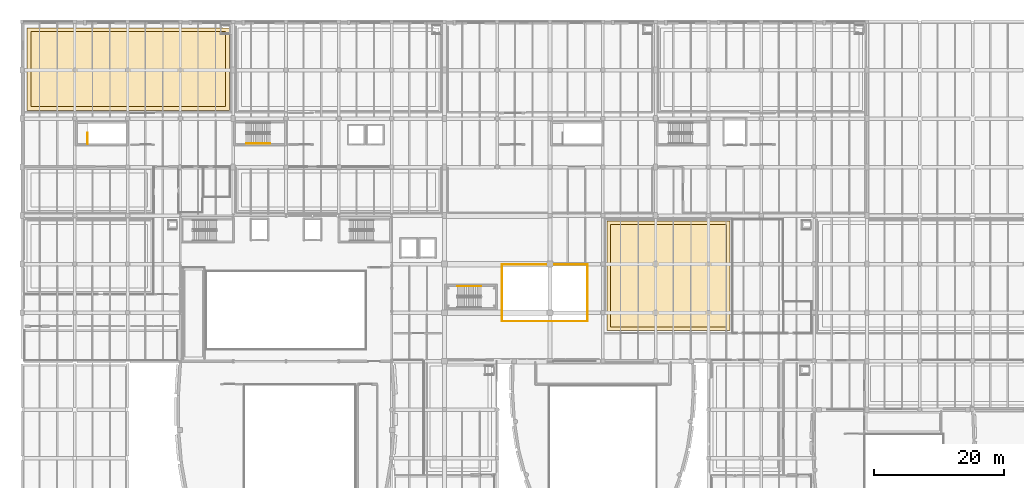
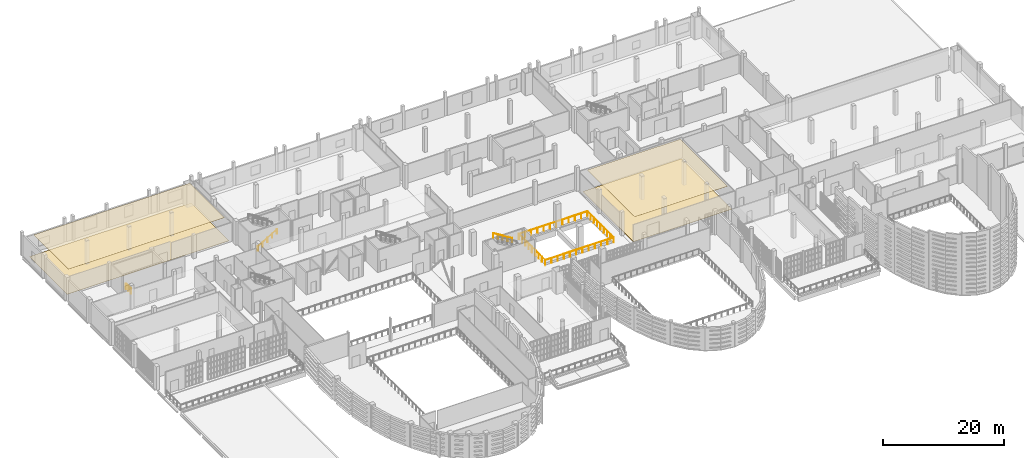
# One storey, part 101 of 104: 5 railings, 4 coverings.
"""IFC4 building model written with IfcOpenShell, lengths in metres."""

from ifc_helpers import new_model, si_unit, direction, frame, origin, origin_2d, place, context, subcontext, project, spatial, polyline, circle, outline, extrude, material, layer, layer_set, type_object, element, save


model = new_model("IFC4")

# Units and contexts
model_context = context("Model", 3, precision=1e-05, world=origin(), true_north=direction((0.0, 1.0)))
body_context = subcontext(model_context, "Body", "Model", "MODEL_VIEW")
ifc_project = project(units=[si_unit("LENGTHUNIT", "METRE"), si_unit("AREAUNIT", "SQUARE_METRE"), si_unit("VOLUMEUNIT", "CUBIC_METRE"), si_unit("PLANEANGLEUNIT", "RADIAN"), si_unit("MASSUNIT", "GRAM", prefix="KILO")], contexts=[model_context])

# Site, building, storey
site_placement = place(None, origin())
site = spatial("IfcSite", under=ifc_project, at=site_placement, CompositionType="ELEMENT")
building_placement = place(site_placement, origin())
building = spatial("IfcBuilding", under=site, at=building_placement, Name="Kaelora Sail Theatre", CompositionType="ELEMENT")
storey_placement = place(building_placement, frame((0.0, 0.0, 5.39990234375)))
storey = spatial("IfcBuildingStorey", under=building, at=storey_placement, Name="L01", CompositionType="ELEMENT", Elevation=5.39990234375)

# Coverings
ifc_material_1 = material(Name="Suspended acoustic mineral-fibre ceiling", Category="gypsum")
ifc_layer_1 = layer(ifc_material_1, 0.034912109375)
ifc_layer_set_1 = layer_set([ifc_layer_1], Name="Suspended acoustic mineral-fibre ceiling")
covering_type_1 = type_object("IfcCoveringType", Name="ARC-COV-CLG-GYP-35", PredefinedType="CEILING", material=ifc_layer_set_1)
covering_1_placement = place(storey_placement, frame((0.0, 0.0, 4.505126953125)))
element("IfcCovering", 1, at=covering_1_placement, inside=storey, type_object=covering_type_1, Name="Acoustic ceiling L01-FOY-BAR", PredefinedType="CEILING", context=body_context, shape_type="SweptSolid", body=[
    extrude(outline(polyline([(91.75, 66.25), (109.550048828125, 66.25), (109.550048828125, 81.949951171875), (91.75, 81.949951171875), (91.75, 66.25)])), origin(), (0.0, 0.0, 1.0), 0.034912109375),
])
covering_2_placement = place(storey_placement, frame((0.0, 0.0, 4.530029296875)))
element("IfcCovering", 2, at=covering_2_placement, inside=storey, type_object=covering_type_1, Name="Acoustic ceiling L01-CHORUS-F", PredefinedType="CEILING", context=body_context, shape_type="SweptSolid", body=[
    extrude(outline(polyline([(2.85009765625, 100.050048828125), (32.75, 100.050048828125), (32.75, 111.550048828125), (2.85009765625, 111.550048828125), (2.85009765625, 100.050048828125)])), origin(), (0.0, 0.0, 1.0), 0.03515625),
])
ifc_material_2 = material(Name="Sprung West African iroko stage and dance floor", Category="timber")
ifc_layer_2 = layer(ifc_material_2, 0.028076171875)
ifc_layer_set_2 = layer_set([ifc_layer_2], Name="Sprung West African iroko stage and dance floor")
covering_type_2 = type_object("IfcCoveringType", Name="ARC-COV-FLR-OAK-28", PredefinedType="FLOORING", material=ifc_layer_set_2)
covering_3_placement = place(storey_placement, origin())
element("IfcCovering", 3, at=covering_3_placement, inside=storey, type_object=covering_type_2, Name="Architectural flooring L01-CHORUS-F", PredefinedType="FLOORING", context=body_context, shape_type="SweptSolid", body=[
    extrude(outline(polyline([(2.300048828125, 99.5), (33.300048828125, 99.5), (33.300048828125, 112.10009765625), (2.300048828125, 112.10009765625), (2.300048828125, 99.5)])), origin(), (0.0, 0.0, 1.0), 0.028076171875),
])
ifc_material_3 = material(Name="Polished basalt-terrazzo foyer flooring", Category="masonry")
ifc_layer_3 = layer(ifc_material_3, 0.031982421875)
ifc_layer_set_3 = layer_set([ifc_layer_3], Name="Polished basalt-terrazzo foyer flooring")
covering_type_3 = type_object("IfcCoveringType", Name="ARC-COV-FLR-TRZ-32", PredefinedType="FLOORING", material=ifc_layer_set_3)
covering_4_placement = place(storey_placement, origin())
element("IfcCovering", 4, at=covering_4_placement, inside=storey, type_object=covering_type_3, Name="Architectural flooring L01-FOY-BAR", PredefinedType="FLOORING", context=body_context, shape_type="SweptSolid", body=[
    extrude(outline(polyline([(91.199951171875, 65.699951171875), (110.10009765625, 65.699951171875), (110.10009765625, 82.5), (91.199951171875, 82.5), (91.199951171875, 65.699951171875)])), origin(), (0.0, 0.0, 1.0), 0.031982421875),
])

# Railings
ifc_material_4 = material(Name="Acoustic bronze and laminated glass balcony balustrade", Category="glass")
railing_type_1 = type_object("IfcRailingType", Name="ARC-RL-BAL", PredefinedType="BALUSTRADE", material=ifc_material_4)
railing_1_placement = place(storey_placement, frame((75.139892578125, 71.449951171875, 0.0)))
element("IfcRailing", 5, at=railing_1_placement, inside=storey, type_object=railing_type_1, Name="Interior void balustrade ATRIUM-1 south", PredefinedType="BALUSTRADE", context=body_context, shape_type="SweptSolid", body=[
    extrude(circle(Radius=0.02392578125, at=origin_2d()), frame((0.0, 0.0, 1.076171875), z_axis=(0.0, -1.0, 0.0), x_axis=(1.0, 0.0, 0.0)), (0.0, 0.0, 1.0), 4.31005859375),
    extrude(circle(Radius=0.02392578125, at=origin_2d()), frame((0.0, -4.31005859375, 1.076171875), z_axis=(1.0, 0.0, 0.0), x_axis=(0.0, 1.0, 0.0)), (0.0, 0.0, 1.0), 13.1201171875),
    extrude(circle(Radius=0.02392578125, at=origin_2d()), frame((13.1201171875, -4.31005859375, 1.076171875), z_axis=(0.0, 1.0, 0.0), x_axis=(-1.0, 0.0, 0.0)), (0.0, 0.0, 1.0), 4.31005859375),
    extrude(circle(Radius=0.02099609375, at=origin_2d()), origin(), (0.0, 0.0, 1.0), 1.052001953125),
    extrude(circle(Radius=0.02099609375, at=origin_2d()), frame((0.0, -1.07763671875, 0.0)), (0.0, 0.0, 1.0), 1.052001953125),
    extrude(circle(Radius=0.02099609375, at=origin_2d()), frame((0.0, -2.155029296875, 0.0)), (0.0, 0.0, 1.0), 1.052001953125),
    extrude(circle(Radius=0.02099609375, at=origin_2d()), frame((0.0, -3.232421875, 0.0)), (0.0, 0.0, 1.0), 1.052001953125),
    extrude(circle(Radius=0.02099609375, at=origin_2d()), frame((0.0, -4.31005859375, 0.0)), (0.0, 0.0, 1.0), 1.052001953125),
    extrude(circle(Radius=0.02099609375, at=origin_2d()), frame((1.192626953125, -4.31005859375, 0.0)), (0.0, 0.0, 1.0), 1.052001953125),
    extrude(circle(Radius=0.02099609375, at=origin_2d()), frame((2.385498046875, -4.31005859375, 0.0)), (0.0, 0.0, 1.0), 1.052001953125),
    extrude(circle(Radius=0.02099609375, at=origin_2d()), frame((3.578125, -4.31005859375, 0.0)), (0.0, 0.0, 1.0), 1.052001953125),
    extrude(circle(Radius=0.02099609375, at=origin_2d()), frame((4.77099609375, -4.31005859375, 0.0)), (0.0, 0.0, 1.0), 1.052001953125),
    extrude(circle(Radius=0.02099609375, at=origin_2d()), frame((5.963623046875, -4.31005859375, 0.0)), (0.0, 0.0, 1.0), 1.052001953125),
    extrude(circle(Radius=0.02099609375, at=origin_2d()), frame((7.156494140625, -4.31005859375, 0.0)), (0.0, 0.0, 1.0), 1.052001953125),
    extrude(circle(Radius=0.02099609375, at=origin_2d()), frame((8.34912109375, -4.31005859375, 0.0)), (0.0, 0.0, 1.0), 1.052001953125),
    extrude(circle(Radius=0.02099609375, at=origin_2d()), frame((9.5419921875, -4.31005859375, 0.0)), (0.0, 0.0, 1.0), 1.052001953125),
    extrude(circle(Radius=0.02099609375, at=origin_2d()), frame((10.734619140625, -4.31005859375, 0.0)), (0.0, 0.0, 1.0), 1.052001953125),
    extrude(circle(Radius=0.02099609375, at=origin_2d()), frame((11.927490234375, -4.31005859375, 0.0)), (0.0, 0.0, 1.0), 1.052001953125),
    extrude(circle(Radius=0.02099609375, at=origin_2d()), frame((13.1201171875, -4.31005859375, 0.0)), (0.0, 0.0, 1.0), 1.052001953125),
    extrude(circle(Radius=0.02099609375, at=origin_2d()), frame((13.1201171875, -3.232421875, 0.0)), (0.0, 0.0, 1.0), 1.052001953125),
    extrude(circle(Radius=0.02099609375, at=origin_2d()), frame((13.1201171875, -2.155029296875, 0.0)), (0.0, 0.0, 1.0), 1.052001953125),
    extrude(circle(Radius=0.02099609375, at=origin_2d()), frame((13.1201171875, -1.07763671875, 0.0)), (0.0, 0.0, 1.0), 1.052001953125),
    extrude(circle(Radius=0.02099609375, at=origin_2d()), frame((13.1201171875, 0.0, 0.0)), (0.0, 0.0, 1.0), 1.052001953125),
])
railing_2_placement = place(storey_placement, frame((88.260009765625, 71.550048828125, 0.0)))
element("IfcRailing", 6, at=railing_2_placement, inside=storey, type_object=railing_type_1, Name="Interior void balustrade ATRIUM-1 north", PredefinedType="BALUSTRADE", context=body_context, shape_type="SweptSolid", body=[
    extrude(circle(Radius=0.02392578125, at=origin_2d()), frame((0.0, 0.0, 1.076171875), z_axis=(0.0, 1.0, 0.0), x_axis=(-1.0, 0.0, 0.0)), (0.0, 0.0, 1.0), 4.31005859375),
    extrude(circle(Radius=0.02392578125, at=origin_2d()), frame((0.0, 4.31005859375, 1.076171875), z_axis=(-1.0, 0.0, 0.0), x_axis=(0.0, -1.0, 0.0)), (0.0, 0.0, 1.0), 13.1201171875),
    extrude(circle(Radius=0.02392578125, at=origin_2d()), frame((-13.1201171875, 4.31005859375, 1.076171875), z_axis=(0.0, -1.0, 0.0), x_axis=(1.0, 0.0, 0.0)), (0.0, 0.0, 1.0), 4.31005859375),
    extrude(circle(Radius=0.02099609375, at=origin_2d()), origin(), (0.0, 0.0, 1.0), 1.052001953125),
    extrude(circle(Radius=0.02099609375, at=origin_2d()), frame((0.0, 1.07763671875, 0.0)), (0.0, 0.0, 1.0), 1.052001953125),
    extrude(circle(Radius=0.02099609375, at=origin_2d()), frame((0.0, 2.155029296875, 0.0)), (0.0, 0.0, 1.0), 1.052001953125),
    extrude(circle(Radius=0.02099609375, at=origin_2d()), frame((0.0, 3.232421875, 0.0)), (0.0, 0.0, 1.0), 1.052001953125),
    extrude(circle(Radius=0.02099609375, at=origin_2d()), frame((0.0, 4.31005859375, 0.0)), (0.0, 0.0, 1.0), 1.052001953125),
    extrude(circle(Radius=0.02099609375, at=origin_2d()), frame((-1.192626953125, 4.31005859375, 0.0)), (0.0, 0.0, 1.0), 1.052001953125),
    extrude(circle(Radius=0.02099609375, at=origin_2d()), frame((-2.385498046875, 4.31005859375, 0.0)), (0.0, 0.0, 1.0), 1.052001953125),
    extrude(circle(Radius=0.02099609375, at=origin_2d()), frame((-3.578125, 4.31005859375, 0.0)), (0.0, 0.0, 1.0), 1.052001953125),
    extrude(circle(Radius=0.02099609375, at=origin_2d()), frame((-4.77099609375, 4.31005859375, 0.0)), (0.0, 0.0, 1.0), 1.052001953125),
    extrude(circle(Radius=0.02099609375, at=origin_2d()), frame((-5.963623046875, 4.31005859375, 0.0)), (0.0, 0.0, 1.0), 1.052001953125),
    extrude(circle(Radius=0.02099609375, at=origin_2d()), frame((-7.156494140625, 4.31005859375, 0.0)), (0.0, 0.0, 1.0), 1.052001953125),
    extrude(circle(Radius=0.02099609375, at=origin_2d()), frame((-8.34912109375, 4.31005859375, 0.0)), (0.0, 0.0, 1.0), 1.052001953125),
    extrude(circle(Radius=0.02099609375, at=origin_2d()), frame((-9.5419921875, 4.31005859375, 0.0)), (0.0, 0.0, 1.0), 1.052001953125),
    extrude(circle(Radius=0.02099609375, at=origin_2d()), frame((-10.734619140625, 4.31005859375, 0.0)), (0.0, 0.0, 1.0), 1.052001953125),
    extrude(circle(Radius=0.02099609375, at=origin_2d()), frame((-11.927490234375, 4.31005859375, 0.0)), (0.0, 0.0, 1.0), 1.052001953125),
    extrude(circle(Radius=0.02099609375, at=origin_2d()), frame((-13.1201171875, 4.31005859375, 0.0)), (0.0, 0.0, 1.0), 1.052001953125),
    extrude(circle(Radius=0.02099609375, at=origin_2d()), frame((-13.1201171875, 3.232421875, 0.0)), (0.0, 0.0, 1.0), 1.052001953125),
    extrude(circle(Radius=0.02099609375, at=origin_2d()), frame((-13.1201171875, 2.155029296875, 0.0)), (0.0, 0.0, 1.0), 1.052001953125),
    extrude(circle(Radius=0.02099609375, at=origin_2d()), frame((-13.1201171875, 1.07763671875, 0.0)), (0.0, 0.0, 1.0), 1.052001953125),
    extrude(circle(Radius=0.02099609375, at=origin_2d()), frame((-13.1201171875, 0.0, 0.0)), (0.0, 0.0, 1.0), 1.052001953125),
])
ifc_material_5 = material(Name="Painted steel and laminated safety glass guard", Category="steel")
railing_type_2 = type_object("IfcRailingType", Name="ARC-RL-GRD", PredefinedType="GUARDRAIL", material=ifc_material_5)
railing_3_placement = place(storey_placement, frame((11.550048828125, 94.35009765625, 0.0)))
element("IfcRailing", 7, at=railing_3_placement, inside=storey, type_object=railing_type_2, Name="L01 ST-W1 top well guard 1", PredefinedType="GUARDRAIL", context=body_context, shape_type="SweptSolid", body=[
    extrude(circle(Radius=0.02392578125, at=origin_2d()), frame((0.0, 0.0, 1.076171875), z_axis=(0.0, 1.0, 0.0), x_axis=(-1.0, 0.0, 0.0)), (0.0, 0.0, 1.0), 1.64990234375),
    extrude(circle(Radius=0.02099609375, at=origin_2d()), origin(), (0.0, 0.0, 1.0), 1.052001953125),
    extrude(circle(Radius=0.02099609375, at=origin_2d()), frame((0.0, 0.824951171875, 0.0)), (0.0, 0.0, 1.0), 1.052001953125),
    extrude(circle(Radius=0.02099609375, at=origin_2d()), frame((0.0, 1.64990234375, 0.0)), (0.0, 0.0, 1.0), 1.052001953125),
])
ifc_material_6 = material(Name="Brushed stainless steel 316L tubular handrail", Category="steel")
railing_type_3 = type_object("IfcRailingType", Name="ARC-RL-HND", PredefinedType="HANDRAIL", material=ifc_material_6)
railing_4_placement = place(storey_placement, frame((35.89990234375, 94.39990234375, 0.171630859375)))
element("IfcRailing", 8, at=railing_4_placement, inside=storey, type_object=railing_type_3, Name="L01 ST-K2 stair handrail 1", PredefinedType="HANDRAIL", context=body_context, shape_type="SweptSolid", body=[
    extrude(circle(Radius=0.02392578125, at=origin_2d()), frame((0.0, 0.0, 0.8759765625), z_axis=(0.852865859571, 0.0, 0.52213008492), x_axis=(0.0, 1.0, 0.0)), (0.0, 0.0, 1.0), 4.26806640625),
    extrude(circle(Radius=0.02099609375, at=origin_2d()), origin(), (0.0, 0.0, 1.0), 0.851806640625),
    extrude(circle(Radius=0.02099609375, at=origin_2d()), frame((0.91015625, 0.0, 0.55712890625)), (0.0, 0.0, 1.0), 0.851806640625),
    extrude(circle(Radius=0.02099609375, at=origin_2d()), frame((1.820068359375, 0.0, 1.1142578125)), (0.0, 0.0, 1.0), 0.851806640625),
    extrude(circle(Radius=0.02099609375, at=origin_2d()), frame((2.72998046875, 0.0, 1.67138671875)), (0.0, 0.0, 1.0), 0.851806640625),
    extrude(circle(Radius=0.02099609375, at=origin_2d()), frame((3.64013671875, 0.0, 2.228515625)), (0.0, 0.0, 1.0), 0.851806640625),
])
railing_5_placement = place(storey_placement, frame((71.909912109375, 72.5, 2.571533203125)))
element("IfcRailing", 9, at=railing_5_placement, inside=storey, type_object=railing_type_3, Name="L01 ST-F1 stair handrail 2", PredefinedType="HANDRAIL", context=body_context, shape_type="SweptSolid", body=[
    extrude(circle(Radius=0.02392578125, at=origin_2d()), frame((0.0, 0.0, 0.8759765625), z_axis=(-0.852850264322, 0.0, 0.5221555579), x_axis=(0.0, -1.0, 0.0)), (0.0, 0.0, 1.0), 4.267822265625),
    extrude(circle(Radius=0.02099609375, at=origin_2d()), origin(), (0.0, 0.0, 1.0), 0.851806640625),
    extrude(circle(Radius=0.02099609375, at=origin_2d()), frame((-0.909912109375, 0.0, 0.55712890625)), (0.0, 0.0, 1.0), 0.851806640625),
    extrude(circle(Radius=0.02099609375, at=origin_2d()), frame((-1.81982421875, 0.0, 1.1142578125)), (0.0, 0.0, 1.0), 0.851806640625),
    extrude(circle(Radius=0.02099609375, at=origin_2d()), frame((-2.72998046875, 0.0, 1.67138671875)), (0.0, 0.0, 1.0), 0.851806640625),
    extrude(circle(Radius=0.02099609375, at=origin_2d()), frame((-3.639892578125, 0.0, 2.228515625)), (0.0, 0.0, 1.0), 0.851806640625),
])

save(model, "model.ifc")
